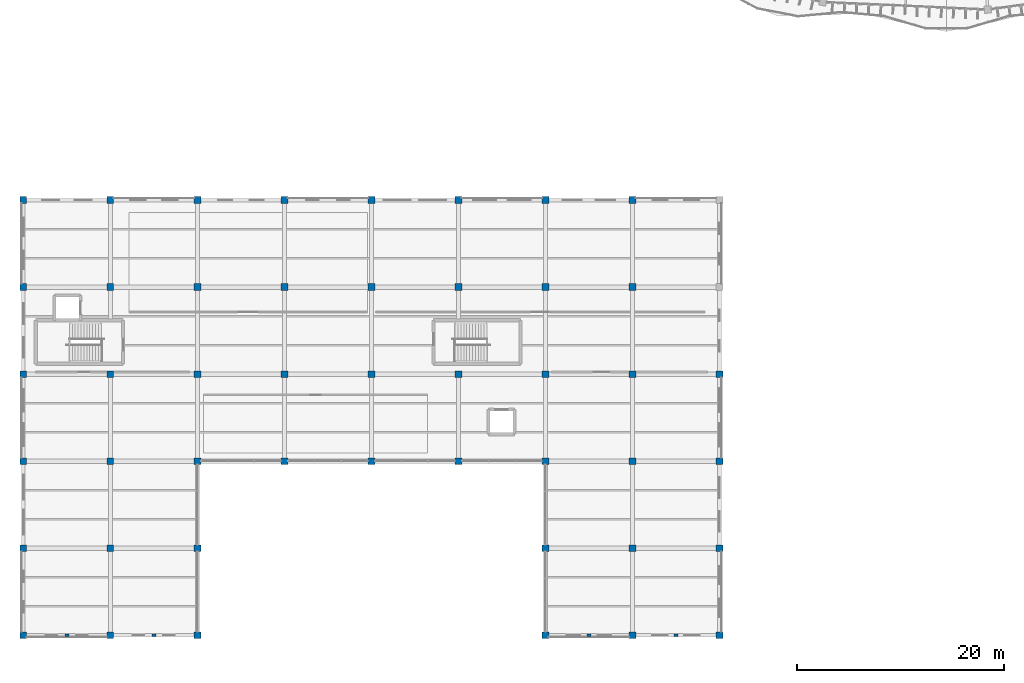
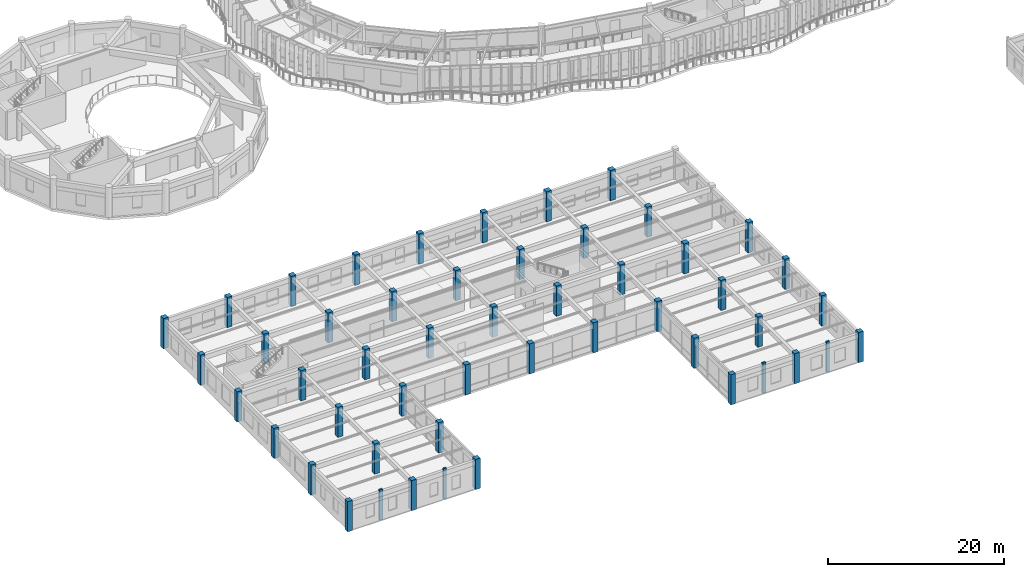
# One storey, part 1 of 138: 50 columns.
"""IFC4 building model written with IfcOpenShell, lengths in metres."""

from ifc_helpers import new_model, si_unit, direction, frame, origin, origin_2d, place, context, subcontext, project, spatial, rectangle, extrude, material, material_profile, profile_set, type_object, element, save


model = new_model("IFC4")

# Units and contexts
model_context = context("Model", 3, precision=1e-05, world=origin(), true_north=direction((0.0, 1.0)))
body_context = subcontext(model_context, "Body", "Model", "MODEL_VIEW")
ifc_project = project(units=[si_unit("LENGTHUNIT", "METRE"), si_unit("AREAUNIT", "SQUARE_METRE"), si_unit("VOLUMEUNIT", "CUBIC_METRE"), si_unit("PLANEANGLEUNIT", "RADIAN"), si_unit("MASSUNIT", "GRAM", prefix="KILO"), si_unit("THERMODYNAMICTEMPERATUREUNIT", "KELVIN"), si_unit("POWERUNIT", "WATT")], contexts=[model_context])

# Site, building, storey
site_placement = place(None, origin())
site = spatial("IfcSite", under=ifc_project, at=site_placement, CompositionType="ELEMENT")
building_placement = place(site_placement, origin())
building = spatial("IfcBuilding", under=site, at=building_placement, Name="Darbajah Civic Hall", CompositionType="ELEMENT")
storey_placement = place(building_placement, frame((0.0, 0.0, 9.60009765625)))
storey = spatial("IfcBuildingStorey", under=building, at=storey_placement, Name="L02", CompositionType="ELEMENT", Elevation=9.60009765625)

# Columns
ifc_material = material(Name="Concrete C45/55", Category="concrete")
ifc_material_profile_1 = material_profile(ifc_material, rectangle(XDim=0.39990234375, YDim=0.25, at=origin_2d()), Name="PILASTER 400x250")
ifc_profile_set_1 = profile_set([ifc_material_profile_1], Name="Concrete C45/55")
column_type_1 = type_object("IfcColumnType", Name="PILASTER 400x250", PredefinedType="PILASTER", material=ifc_profile_set_1)
for number, where, z_axis, x_axis, name in (
    (1, (4.199951171875, 0.0, 0.0), (0.0, 0.0, 1.0), (1.0, 0.0, 0.0), "L02 column PL-400"),
    (2, (12.60009765625, 0.0, 0.0), (0.0, 0.0, 1.0), (1.0, 0.0, 0.0), "L02 column PL-400"),
    (3, (54.60009765625, 0.0, 0.0), (0.0, 0.0, 1.0), (1.0, 0.0, 0.0), "L02 column PL-400"),
    (4, (63.0, 0.0, 0.0), (0.0, 0.0, 1.0), (1.0, 0.0, 0.0), "L02 column PL-400"),
):
    element("IfcColumn", number, at=place(storey_placement, frame(where, z_axis=z_axis, x_axis=x_axis)), inside=storey, type_object=column_type_1, Name=name, PredefinedType="PILASTER", context=body_context, shape_type="SweptSolid", body=[
        extrude(rectangle(XDim=0.39990234375, YDim=0.25, at=origin_2d()), origin(), (0.0, 0.0, 1.0), 4.199951171875),
    ])
ifc_material_profile_2 = material_profile(ifc_material, rectangle(XDim=0.64990234375, YDim=0.64990234375, at=origin_2d()), Name="RC COL 650x650")
ifc_profile_set_2 = profile_set([ifc_material_profile_2], Name="Concrete C45/55")
column_type_2 = type_object("IfcColumnType", Name="RC COL 650x650", PredefinedType="COLUMN", material=ifc_profile_set_2)
for number, where, z_axis, x_axis, name in (
    (5, (0.0, 0.0, 0.0), (0.0, 0.0, 1.0), (1.0, 0.0, 0.0), "L02 column C-RC650"),
    (6, (0.0, 8.39990234375, 0.0), (0.0, 0.0, 1.0), (1.0, 0.0, 0.0), "L02 column C-RC650"),
    (7, (0.0, 16.800048828125, 0.0), (0.0, 0.0, 1.0), (1.0, 0.0, 0.0), "L02 column C-RC650"),
    (8, (0.0, 25.199951171875, 0.0), (0.0, 0.0, 1.0), (1.0, 0.0, 0.0), "L02 column C-RC650"),
    (9, (0.0, 33.60009765625, 0.0), (0.0, 0.0, 1.0), (1.0, 0.0, 0.0), "L02 column C-RC650"),
    (10, (0.0, 42.0, 0.0), (0.0, 0.0, 1.0), (1.0, 0.0, 0.0), "L02 column C-RC650"),
    (11, (8.39990234375, 0.0, 0.0), (0.0, 0.0, 1.0), (1.0, 0.0, 0.0), "L02 column C-RC650"),
    (12, (8.39990234375, 8.39990234375, 0.0), (0.0, 0.0, 1.0), (1.0, 0.0, 0.0), "L02 column C-RC650"),
    (13, (8.39990234375, 16.800048828125, 0.0), (0.0, 0.0, 1.0), (1.0, 0.0, 0.0), "L02 column C-RC650"),
    (14, (8.39990234375, 25.199951171875, 0.0), (0.0, 0.0, 1.0), (1.0, 0.0, 0.0), "L02 column C-RC650"),
    (15, (8.39990234375, 33.60009765625, 0.0), (0.0, 0.0, 1.0), (1.0, 0.0, 0.0), "L02 column C-RC650"),
    (16, (8.39990234375, 42.0, 0.0), (0.0, 0.0, 1.0), (1.0, 0.0, 0.0), "L02 column C-RC650"),
    (17, (16.800048828125, 0.0, 0.0), (0.0, 0.0, 1.0), (1.0, 0.0, 0.0), "L02 column C-RC650"),
    (18, (16.800048828125, 8.39990234375, 0.0), (0.0, 0.0, 1.0), (1.0, 0.0, 0.0), "L02 column C-RC650"),
    (19, (16.800048828125, 16.800048828125, 0.0), (0.0, 0.0, 1.0), (1.0, 0.0, 0.0), "L02 column C-RC650"),
    (20, (16.800048828125, 25.199951171875, 0.0), (0.0, 0.0, 1.0), (1.0, 0.0, 0.0), "L02 column C-RC650"),
    (21, (16.800048828125, 33.60009765625, 0.0), (0.0, 0.0, 1.0), (1.0, 0.0, 0.0), "L02 column C-RC650"),
    (22, (16.800048828125, 42.0, 0.0), (0.0, 0.0, 1.0), (1.0, 0.0, 0.0), "L02 column C-RC650"),
    (23, (25.199951171875, 16.800048828125, 0.0), (0.0, 0.0, 1.0), (1.0, 0.0, 0.0), "L02 column C-RC650"),
    (24, (25.199951171875, 25.199951171875, 0.0), (0.0, 0.0, 1.0), (1.0, 0.0, 0.0), "L02 column C-RC650"),
    (25, (25.199951171875, 33.60009765625, 0.0), (0.0, 0.0, 1.0), (1.0, 0.0, 0.0), "L02 column C-RC650"),
    (26, (25.199951171875, 42.0, 0.0), (0.0, 0.0, 1.0), (1.0, 0.0, 0.0), "L02 column C-RC650"),
    (27, (33.60009765625, 16.800048828125, 0.0), (0.0, 0.0, 1.0), (1.0, 0.0, 0.0), "L02 column C-RC650"),
    (28, (33.60009765625, 25.199951171875, 0.0), (0.0, 0.0, 1.0), (1.0, 0.0, 0.0), "L02 column C-RC650"),
    (29, (33.60009765625, 33.60009765625, 0.0), (0.0, 0.0, 1.0), (1.0, 0.0, 0.0), "L02 column C-RC650"),
    (30, (33.60009765625, 42.0, 0.0), (0.0, 0.0, 1.0), (1.0, 0.0, 0.0), "L02 column C-RC650"),
    (31, (42.0, 16.800048828125, 0.0), (0.0, 0.0, 1.0), (1.0, 0.0, 0.0), "L02 column C-RC650"),
    (32, (42.0, 25.199951171875, 0.0), (0.0, 0.0, 1.0), (1.0, 0.0, 0.0), "L02 column C-RC650"),
    (33, (42.0, 33.60009765625, 0.0), (0.0, 0.0, 1.0), (1.0, 0.0, 0.0), "L02 column C-RC650"),
    (34, (42.0, 42.0, 0.0), (0.0, 0.0, 1.0), (1.0, 0.0, 0.0), "L02 column C-RC650"),
    (35, (50.39990234375, 0.0, 0.0), (0.0, 0.0, 1.0), (1.0, 0.0, 0.0), "L02 column C-RC650"),
    (36, (50.39990234375, 8.39990234375, 0.0), (0.0, 0.0, 1.0), (1.0, 0.0, 0.0), "L02 column C-RC650"),
    (37, (50.39990234375, 16.800048828125, 0.0), (0.0, 0.0, 1.0), (1.0, 0.0, 0.0), "L02 column C-RC650"),
    (38, (50.39990234375, 25.199951171875, 0.0), (0.0, 0.0, 1.0), (1.0, 0.0, 0.0), "L02 column C-RC650"),
    (39, (50.39990234375, 33.60009765625, 0.0), (0.0, 0.0, 1.0), (1.0, 0.0, 0.0), "L02 column C-RC650"),
    (40, (50.39990234375, 42.0, 0.0), (0.0, 0.0, 1.0), (1.0, 0.0, 0.0), "L02 column C-RC650"),
    (41, (58.800048828125, 0.0, 0.0), (0.0, 0.0, 1.0), (1.0, 0.0, 0.0), "L02 column C-RC650"),
    (42, (58.800048828125, 8.39990234375, 0.0), (0.0, 0.0, 1.0), (1.0, 0.0, 0.0), "L02 column C-RC650"),
    (43, (58.800048828125, 16.800048828125, 0.0), (0.0, 0.0, 1.0), (1.0, 0.0, 0.0), "L02 column C-RC650"),
    (44, (58.800048828125, 25.199951171875, 0.0), (0.0, 0.0, 1.0), (1.0, 0.0, 0.0), "L02 column C-RC650"),
    (45, (58.800048828125, 33.60009765625, 0.0), (0.0, 0.0, 1.0), (1.0, 0.0, 0.0), "L02 column C-RC650"),
    (46, (58.800048828125, 42.0, 0.0), (0.0, 0.0, 1.0), (1.0, 0.0, 0.0), "L02 column C-RC650"),
    (47, (67.199951171875, 0.0, 0.0), (0.0, 0.0, 1.0), (1.0, 0.0, 0.0), "L02 column C-RC650"),
    (48, (67.199951171875, 8.39990234375, 0.0), (0.0, 0.0, 1.0), (1.0, 0.0, 0.0), "L02 column C-RC650"),
    (49, (67.199951171875, 16.800048828125, 0.0), (0.0, 0.0, 1.0), (1.0, 0.0, 0.0), "L02 column C-RC650"),
    (50, (67.199951171875, 25.199951171875, 0.0), (0.0, 0.0, 1.0), (1.0, 0.0, 0.0), "L02 column C-RC650"),
):
    element("IfcColumn", number, at=place(storey_placement, frame(where, z_axis=z_axis, x_axis=x_axis)), inside=storey, type_object=column_type_2, Name=name, PredefinedType="COLUMN", context=body_context, shape_type="SweptSolid", body=[
        extrude(rectangle(XDim=0.64990234375, YDim=0.64990234375, at=origin_2d()), origin(), (0.0, 0.0, 1.0), 4.199951171875),
    ])

save(model, "model.ifc")
